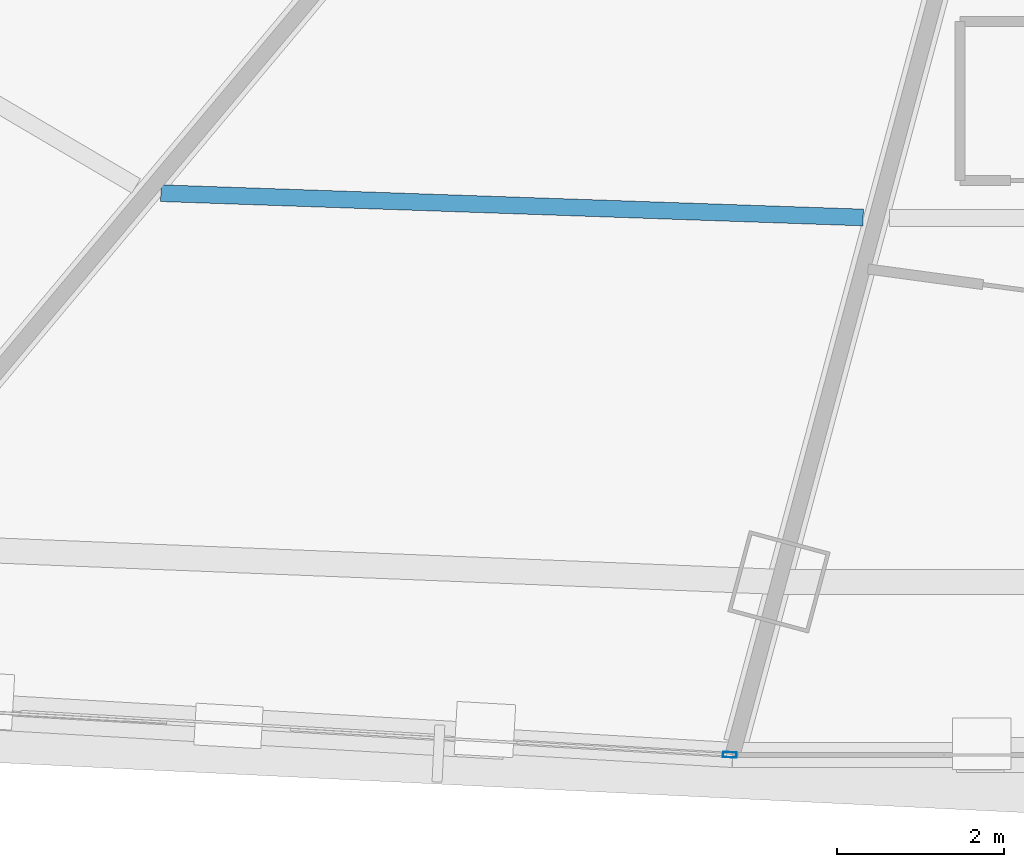
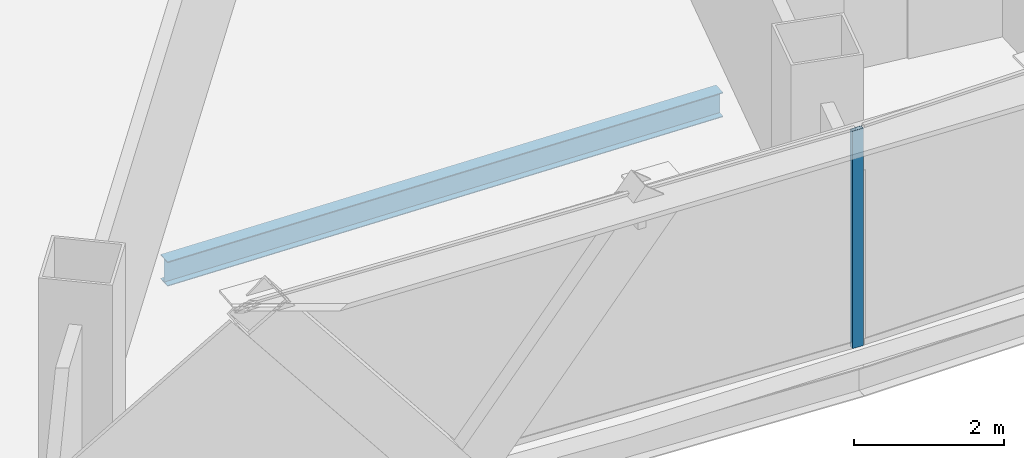
# One storey, part 8 of 37: 1 beam, 1 member, 1 element without a shape of its own.
"""IFC4 building model written with IfcOpenShell, lengths in metres."""

from ifc_helpers import new_model, si_unit, direction, frame, origin, origin_2d, place, context, subcontext, project, spatial, hollow_rectangle, i_section, extrude, source, transform, mapped, material, layer, layer_set, material_profile, profile_set, type_object, element, aggregate, save


model = new_model("IFC4")

# Units and contexts
model_context = context("Model", 3, precision=1e-05, world=origin(), true_north=direction((0.0, 1.0)))
body_context = subcontext(model_context, "Body", "Model", "MODEL_VIEW")
ifc_project = project(units=[si_unit("LENGTHUNIT", "METRE"), si_unit("AREAUNIT", "SQUARE_METRE"), si_unit("VOLUMEUNIT", "CUBIC_METRE"), si_unit("PLANEANGLEUNIT", "RADIAN"), si_unit("MASSUNIT", "GRAM", prefix="KILO"), si_unit("THERMODYNAMICTEMPERATUREUNIT", "KELVIN"), si_unit("POWERUNIT", "WATT")], contexts=[model_context])

# Site, building, storey
site_placement = place(None, origin())
site = spatial("IfcSite", under=ifc_project, at=site_placement, CompositionType="ELEMENT")
building_placement = place(site_placement, origin())
building = spatial("IfcBuilding", under=site, at=building_placement, Name="Yunzhuo Pagoda Commons", CompositionType="ELEMENT")
storey_placement = place(building_placement, frame((0.0, 0.0, 88.780029296875)))
storey = spatial("IfcBuildingStorey", under=building, at=storey_placement, Name="L22", CompositionType="ELEMENT", Elevation=88.780029296875)

# Beam
ifc_material_1 = material(Name="Structural steel Q355B", Category="steel")
ifc_material_profile_1 = material_profile(ifc_material_1, i_section(OverallWidth=0.199951171875, OverallDepth=0.39990234375, WebThickness=0.008056640625, FlangeThickness=0.012939453125, at=origin_2d()), Name="Structural steel Q355B")
ifc_profile_set_1 = profile_set([ifc_material_profile_1], Name="Structural steel Q355B")
beam_type = type_object("IfcBeamType", Name="B-JS1 Joist HN 400x200x8x13", PredefinedType="JOIST", material=ifc_profile_set_1)
shared_shape_1 = source(origin(), body_context, "Body", "SweptSolid", [
    extrude(i_section(OverallWidth=0.199951171875, OverallDepth=0.39990234375, WebThickness=0.008056640625, FlangeThickness=0.012939453125, at=origin_2d()), origin(), (0.0, 0.0, 1.0), 8.392822265625),
])
beam_placement = place(storey_placement, frame((35.25048828125, 18.310791015625, -0.4599609375), z_axis=(0.999400667027, -0.034616567521, 0.0), x_axis=(0.034616567521, 0.999400667027, 0.0)))
element("IfcBeam", 1, at=beam_placement, inside=storey, type_object=beam_type, Name="L22 composite ring joist 2.1", PredefinedType="JOIST", context=body_context, shape_type="MappedRepresentation", body=[
    mapped(shared_shape_1, transform((0.0, 0.0, 0.0), scale=1.0)),
])

# Curtain wall, member
ifc_material_2 = material(Name="Anodized aluminium 6063-T6", Category="aluminium")
ifc_layer = layer(ifc_material_2, 0.1650390625)
ifc_layer_set = layer_set([ifc_layer], Name="Anodized aluminium 6063-T6")
curtain_wall_type = type_object("IfcCurtainWallType", Name="CW-LOW Low-Zone Ribbon Curtain Wall", PredefinedType="NOTDEFINED", material=ifc_layer_set)
curtain_wall_placement = place(storey_placement, origin())
curtain_wall = element("IfcCurtainWall", 2, at=curtain_wall_placement, inside=storey, type_object=curtain_wall_type, Name="L22 curtain wall CW-L22-F1B2", PredefinedType="NOTDEFINED")
ifc_material_profile_2 = material_profile(ifc_material_2, hollow_rectangle(XDim=0.06494140625, YDim=0.1650390625, WallThickness=0.00390625, at=origin_2d()), Name="Anodized aluminium 6063-T6")
ifc_profile_set_2 = profile_set([ifc_material_profile_2], Name="Anodized aluminium 6063-T6")
member_type = type_object("IfcMemberType", Name="CW-LOW-M Mullion RHS 165x65x4", PredefinedType="MULLION", material=ifc_profile_set_2)
shared_shape_2 = source(origin(), body_context, "Body", "SweptSolid", [
    extrude(hollow_rectangle(XDim=0.06494140625, YDim=0.1650390625, WallThickness=0.00390625, at=origin_2d()), origin(), (0.0, 0.0, 1.0), 3.5400390625),
])
member_placement = place(storey_placement, frame((42.046142578125, 11.60302734375, 0.0), z_axis=(0.0, 0.0, 1.0), x_axis=(0.057418382325, 0.998350203772, 0.0)))
member = element("IfcMember", 3, at=member_placement, type_object=member_type, Name="CW mullion 2", PredefinedType="MULLION", context=body_context, shape_type="MappedRepresentation", body=[
    mapped(shared_shape_2, transform((0.0, 0.0, 0.0), scale=1.0)),
])
aggregate(curtain_wall, [member])

save(model, "model.ifc")
